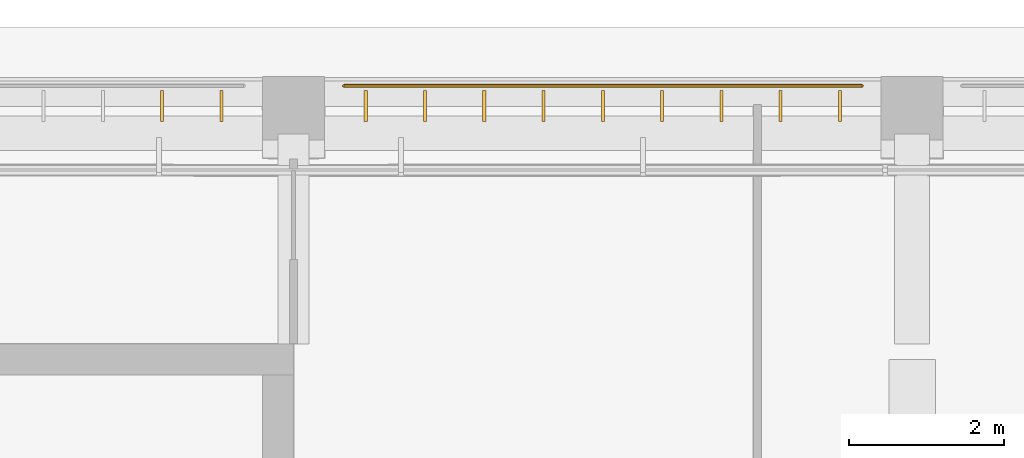
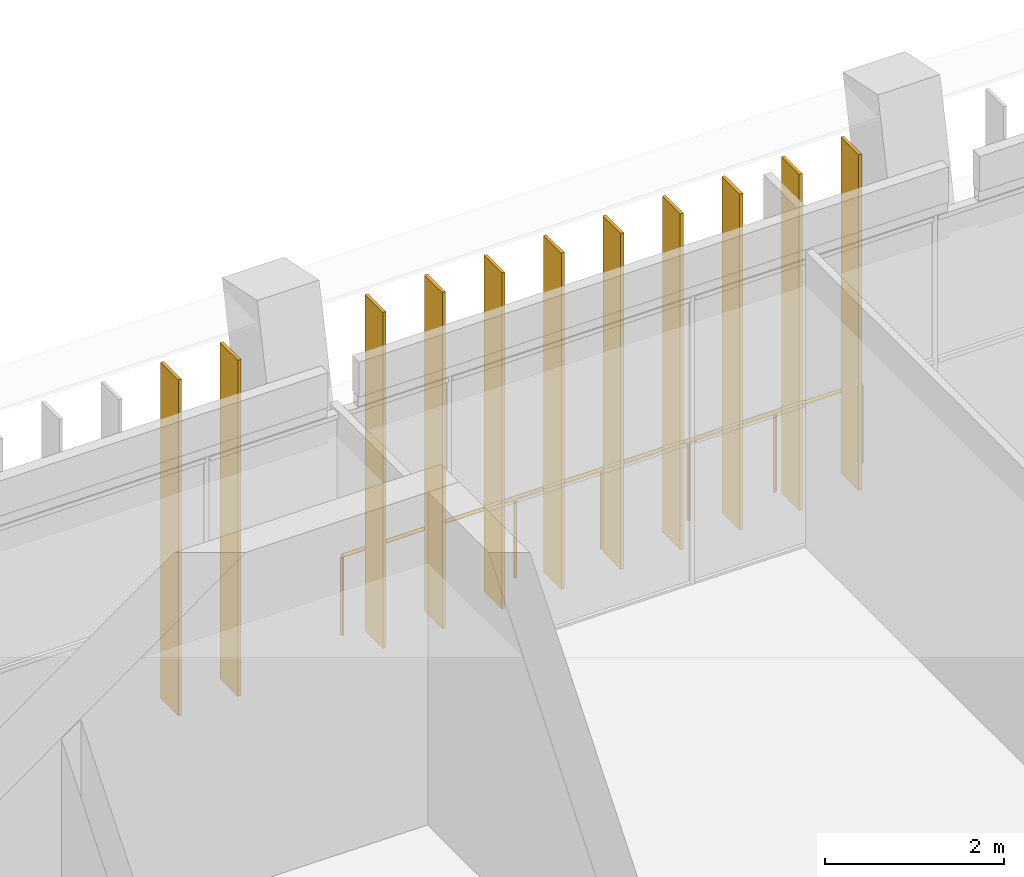
# One storey, part 84 of 89: 11 shading devices, 1 railing.
"""IFC4 building model written with IfcOpenShell, lengths in metres."""

import ifcopenshell
import ifcopenshell.guid

model = None  # the IFC model being written
_history = None  # IfcOwnerHistory: only IFC2X3 demands one
_inside = {}  # id of a spatial element -> (the spatial element, [elements in it])
_under = {}  # id of a project, library or spatial element -> (it, [spatial elements below it])
_declared = {}  # id of a project -> (the project, [libraries it declares])
_typed = {}  # id of a type object -> (the type object, [elements of that type])
_made_of = {}  # id of a material, layer set ... -> (it, [elements and type objects made of it])


def new_model(schema):
    """Start an empty IFC model of exactly this schema.

    Asked for "IFC4X3", IfcOpenShell would pick the latest addendum, in which some entities
    have other attributes; the version numbers below select the first issue.
    IFC2X3 requires an IfcOwnerHistory on every rooted entity: one is made here for all.
    """
    global model, _history
    if schema == "IFC4X3":
        model = ifcopenshell.file(schema_version=(4, 3, 0, 0))
    else:
        model = ifcopenshell.file(schema=schema)
    _inside.clear()
    _under.clear()
    _declared.clear()
    _typed.clear()
    _made_of.clear()
    _history = None
    if model.schema == "IFC2X3":
        org = make("IfcOrganization", Name="unknown")
        user = make(
            "IfcPersonAndOrganization",
            ThePerson=make("IfcPerson", FamilyName="unknown"),
            TheOrganization=org,
        )
        app = make(
            "IfcApplication",
            ApplicationDeveloper=org,
            Version="unknown",
            ApplicationFullName="unknown",
            ApplicationIdentifier="unknown",
        )
        _history = make(
            "IfcOwnerHistory",
            OwningUser=user,
            OwningApplication=app,
            ChangeAction="ADDED",
            CreationDate=0,
        )
    return model


def make(cls, **values):
    """One entity of the class cls with the attributes given. An attribute that is None is left unset."""
    return model.create_entity(
        cls, **{name: value for name, value in values.items() if value is not None}
    )


def rooted(cls, **values):
    """An entity with a GlobalId (a new one), such as an element, a storey or a relation."""
    return make(cls, GlobalId=ifcopenshell.guid.new(), OwnerHistory=_history, **values)


def si_unit(unit_type, name, prefix=None):
    """IfcSIUnit, for example si_unit("LENGTHUNIT", "METRE", prefix="MILLI")."""
    return make("IfcSIUnit", UnitType=unit_type, Prefix=prefix, Name=name)


def assignment(units):
    """IfcUnitAssignment: the units of a project."""
    return None if units is None else make("IfcUnitAssignment", Units=units)


def point(xyz):
    """IfcCartesianPoint."""
    return None if xyz is None else make("IfcCartesianPoint", Coordinates=xyz)


def direction(xyz):
    """IfcDirection."""
    return None if xyz is None else make("IfcDirection", DirectionRatios=xyz)


def frame(location, z_axis=None, x_axis=None):
    """IfcAxis2Placement3D, a coordinate frame: its origin and axes. An axis left out is left unset."""
    return make(
        "IfcAxis2Placement3D",
        Location=point(location),
        Axis=direction(z_axis),
        RefDirection=direction(x_axis),
    )


def frame_2d(location, x_axis=None):
    """IfcAxis2Placement2D, a coordinate frame in the plane: its origin and x axis."""
    return make(
        "IfcAxis2Placement2D", Location=point(location), RefDirection=direction(x_axis)
    )


def origin():
    """The frame at (0, 0, 0) with its axes left unset."""
    return frame((0.0, 0.0, 0.0))


def origin_2d():
    """The frame at (0, 0) in the plane with its x axis left unset."""
    return frame_2d((0.0, 0.0))


def place(relative_to, where):
    """IfcLocalPlacement: puts the frame where relative to a parent placement (None: the world)."""
    return make(
        "IfcLocalPlacement", PlacementRelTo=relative_to, RelativePlacement=where
    )


def context(
    kind, dimensions, precision=None, world=None, true_north=None, identifier=None
):
    """IfcGeometricRepresentationContext, for example the 3D "Model" context."""
    return make(
        "IfcGeometricRepresentationContext",
        ContextIdentifier=identifier,
        ContextType=kind,
        CoordinateSpaceDimension=dimensions,
        Precision=precision,
        WorldCoordinateSystem=world,
        TrueNorth=true_north,
    )


def subcontext(parent, identifier, kind, view, scale=None):
    """IfcGeometricRepresentationSubContext, for example "Body" below "Model"."""
    return make(
        "IfcGeometricRepresentationSubContext",
        ContextIdentifier=identifier,
        ContextType=kind,
        ParentContext=parent,
        TargetScale=scale,
        TargetView=view,
    )


def project(units=None, contexts=None):
    """IfcProject with its units and contexts."""
    return rooted(
        "IfcProject",
        Name="project",
        RepresentationContexts=contexts,
        UnitsInContext=assignment(units),
    )


def spatial(cls, under=None, at=None, **own):
    """A site, building, storey or space (cls), placed at a placement, below another one or the project."""
    s = rooted(cls, ObjectPlacement=at, **own)
    if under is not None:
        _under.setdefault(under.id(), (under, []))[1].append(s)
    return s


def profile(cls, at=None, kind="AREA", **sizes):
    """A parametric profile (cls). Its sizes go by their IFC names, for example OverallWidth=200.0."""
    return make(cls, ProfileType=kind, Position=at, **sizes)


def rectangle(**sizes):
    """IfcRectangleProfileDef."""
    return profile("IfcRectangleProfileDef", **sizes)


def circle(**sizes):
    """IfcCircleProfileDef."""
    return profile("IfcCircleProfileDef", **sizes)


def extrude(swept, where, along, depth):
    """IfcExtrudedAreaSolid: the profile swept, set in the frame where, extruded along a direction by depth."""
    return make(
        "IfcExtrudedAreaSolid",
        SweptArea=swept,
        Position=where,
        ExtrudedDirection=direction(along),
        Depth=depth,
    )


def shape(context_of_items, identifier, shape_type, items):
    """IfcShapeRepresentation: the items that make up one representation, for example the "Body"."""
    return make(
        "IfcShapeRepresentation",
        ContextOfItems=context_of_items,
        RepresentationIdentifier=identifier,
        RepresentationType=shape_type,
        Items=items,
    )


def material(Name=None, Category=None):
    """IfcMaterial."""
    return make("IfcMaterial", Name=Name, Category=Category)


def layer(
    of_material, thickness, ventilated=None, Name=None, Category=None, Priority=None
):
    """IfcMaterialLayer: one layer of a wall or slab, of a material (None: an air gap)."""
    return make(
        "IfcMaterialLayer",
        Material=of_material,
        LayerThickness=thickness,
        IsVentilated=ventilated,
        Name=Name,
        Category=Category,
        Priority=Priority,
    )


def layer_set(layers, Name=None):
    """IfcMaterialLayerSet."""
    return make("IfcMaterialLayerSet", MaterialLayers=layers, LayerSetName=Name)


def made_of(thing, what):
    """Note that an element or type object is made of a material, layer set ...; save() writes the relation."""
    if what is not None:
        _made_of.setdefault(what.id(), (what, []))[1].append(thing)
    return thing


def type_object(cls, material=None, **own):
    """A type object (cls), such as IfcWallType, which elements share."""
    return made_of(rooted(cls, **own), material)


def element(
    cls,
    number,
    at=None,
    inside=None,
    cuts=None,
    type_object=None,
    material=None,
    context=None,
    identifier="Body",
    shape_type=None,
    held_by="IfcProductDefinitionShape",
    body=None,
    shapes=None,
    **own,
):
    """One element of the class cls, such as IfcWall. Its Tag is "e" and its number.

    at: its placement. inside: the storey or other place that contains it. cuts: it is an
    opening in that element (IfcRelVoidsElement). A single representation is given by context,
    identifier, shape_type and body (its items); several are given by shapes. held_by: the class
    of the entity that holds the representations. save() writes the other relations.
    """
    e = rooted(cls, Tag="e%d" % number, ObjectPlacement=at, **own)
    if body is not None:
        shapes = [shape(context, identifier, shape_type, body)]
    if shapes is not None:
        e.Representation = make(held_by, Representations=shapes)
    if inside is not None:
        _inside.setdefault(inside.id(), (inside, []))[1].append(e)
    if cuts is not None:
        rooted(
            "IfcRelVoidsElement", RelatingBuildingElement=cuts, RelatedOpeningElement=e
        )
    if type_object is not None:
        _typed.setdefault(type_object.id(), (type_object, []))[1].append(e)
    return made_of(e, material)


def aggregate(whole, parts):
    """IfcRelAggregates: a whole, such as a stair, and the parts it consists of."""
    return rooted("IfcRelAggregates", RelatingObject=whole, RelatedObjects=parts)


def save(model, path):
    """Write the relations noted so far, then the file.

    IfcRelAggregates (storeys below a building ...), IfcRelContainedInSpatialStructure (elements
    in a storey), IfcRelDefinesByType, IfcRelAssociatesMaterial and IfcRelDeclares: one each for
    every whole, place, type object, material and project.
    """
    for whole, parts in _under.values():
        aggregate(whole, parts)
    for where, things in _inside.values():
        rooted(
            "IfcRelContainedInSpatialStructure",
            RelatedElements=things,
            RelatingStructure=where,
        )
    for kind, things in _typed.values():
        rooted("IfcRelDefinesByType", RelatedObjects=things, RelatingType=kind)
    for what, things in _made_of.values():
        rooted("IfcRelAssociatesMaterial", RelatedObjects=things, RelatingMaterial=what)
    for by, libraries in _declared.values():
        rooted("IfcRelDeclares", RelatingContext=by, RelatedDefinitions=libraries)
    model.write(path)


model = new_model("IFC4")

# Units and contexts
model_context = context("Model", 3, precision=1e-05, world=origin(), true_north=direction((0.0, 1.0)))
body_context = subcontext(model_context, "Body", "Model", "MODEL_VIEW")
ifc_project = project(units=[si_unit("LENGTHUNIT", "METRE"), si_unit("AREAUNIT", "SQUARE_METRE"), si_unit("VOLUMEUNIT", "CUBIC_METRE"), si_unit("PLANEANGLEUNIT", "RADIAN"), si_unit("MASSUNIT", "GRAM", prefix="KILO")], contexts=[model_context])

# Site, building, storey
site_placement = place(None, origin())
site = spatial("IfcSite", under=ifc_project, at=site_placement, CompositionType="ELEMENT")
building_placement = place(site_placement, origin())
building = spatial("IfcBuilding", under=site, at=building_placement, Name="Lantern Court Media Centre", CompositionType="ELEMENT")
storey_placement = place(building_placement, frame((0.0, 0.0, 14.39990234375)))
storey = spatial("IfcBuildingStorey", under=building, at=storey_placement, Name="L03", CompositionType="ELEMENT", Elevation=14.39990234375)

# Railing
ifc_material_1 = material(Name="Powder-coated steel", Category="steel")
railing_type = type_object("IfcRailingType", Name="Floor edge guard 1100", PredefinedType="GUARDRAIL", material=ifc_material_1)
railing_placement = place(storey_placement, frame((56.653076171875, 114.93994140625, 0.0)))
element("IfcRailing", 1, at=railing_placement, inside=storey, type_object=railing_type, Name="L03 edge guard 93", PredefinedType="GUARDRAIL", context=body_context, shape_type="SweptSolid", body=[
    extrude(circle(Radius=0.02392578125, at=origin_2d()), frame((0.0, 0.0, 1.076171875), z_axis=(1.0, 0.0, 0.0), x_axis=(0.0, 1.0, 0.0)), (0.0, 0.0, 1.0), 6.696044921875),
    extrude(circle(Radius=0.02099609375, at=origin_2d()), origin(), (0.0, 0.0, 1.0), 1.052001953125),
    extrude(circle(Radius=0.02099609375, at=origin_2d()), frame((1.115966796875, 0.0, 0.0)), (0.0, 0.0, 1.0), 1.052001953125),
    extrude(circle(Radius=0.02099609375, at=origin_2d()), frame((2.23193359375, 0.0, 0.0)), (0.0, 0.0, 1.0), 1.052001953125),
    extrude(circle(Radius=0.02099609375, at=origin_2d()), frame((3.34814453125, 0.0, 0.0)), (0.0, 0.0, 1.0), 1.052001953125),
    extrude(circle(Radius=0.02099609375, at=origin_2d()), frame((4.464111328125, 0.0, 0.0)), (0.0, 0.0, 1.0), 1.052001953125),
    extrude(circle(Radius=0.02099609375, at=origin_2d()), frame((5.580078125, 0.0, 0.0)), (0.0, 0.0, 1.0), 1.052001953125),
    extrude(circle(Radius=0.02099609375, at=origin_2d()), frame((6.696044921875, 0.0, 0.0)), (0.0, 0.0, 1.0), 1.052001953125),
])

# Shading devices
ifc_material_2 = material(Name="Bronze anodised aluminium louvre", Category="aluminium")
ifc_layer = layer(ifc_material_2, 0.0400390625)
ifc_layer_set = layer_set([ifc_layer], Name="Bronze anodised aluminium louvre")
shading_device_type = type_object("IfcShadingDeviceType", Name="Vertical louvre 40x400 full storey", PredefinedType="USERDEFINED", material=ifc_layer_set)
for number, where, z_axis, x_axis, name in (
    (2, (54.300048828125, 114.679931640625, 0.0), (0.0, 0.0, 1.0), (1.0, 0.0, 0.0), "Vertical louvre N outer L03"),
    (3, (55.066650390625, 114.679931640625, 0.0), (0.0, 0.0, 1.0), (1.0, 0.0, 0.0), "Vertical louvre N outer L03"),
    (4, (56.933349609375, 114.679931640625, 0.0), (0.0, 0.0, 1.0), (1.0, 0.0, 0.0), "Vertical louvre N outer L03"),
    (5, (57.699951171875, 114.679931640625, 0.0), (0.0, 0.0, 1.0), (1.0, 0.0, 0.0), "Vertical louvre N outer L03"),
    (6, (58.466552734375, 114.679931640625, 0.0), (0.0, 0.0, 1.0), (1.0, 0.0, 0.0), "Vertical louvre N outer L03"),
    (7, (59.2333984375, 114.679931640625, 0.0), (0.0, 0.0, 1.0), (1.0, 0.0, 0.0), "Vertical louvre N outer L03"),
    (8, (60.0, 114.679931640625, 0.0), (0.0, 0.0, 1.0), (1.0, 0.0, 0.0), "Vertical louvre N outer L03"),
    (9, (60.7666015625, 114.679931640625, 0.0), (0.0, 0.0, 1.0), (1.0, 0.0, 0.0), "Vertical louvre N outer L03"),
    (10, (61.533447265625, 114.679931640625, 0.0), (0.0, 0.0, 1.0), (1.0, 0.0, 0.0), "Vertical louvre N outer L03"),
    (11, (62.300048828125, 114.679931640625, 0.0), (0.0, 0.0, 1.0), (1.0, 0.0, 0.0), "Vertical louvre N outer L03"),
    (12, (63.066650390625, 114.679931640625, 0.0), (0.0, 0.0, 1.0), (1.0, 0.0, 0.0), "Vertical louvre N outer L03"),
):
    element("IfcShadingDevice", number, at=place(storey_placement, frame(where, z_axis=z_axis, x_axis=x_axis)), inside=storey, type_object=shading_device_type, Name=name, ObjectType="VERTICAL LOUVRE", PredefinedType="USERDEFINED", context=body_context, shape_type="SweptSolid", body=[
        extrude(rectangle(XDim=0.0400390625, YDim=0.39990234375, at=origin_2d()), origin(), (0.0, 0.0, 1.0), 4.580078125),
    ])

save(model, "model.ifc")
